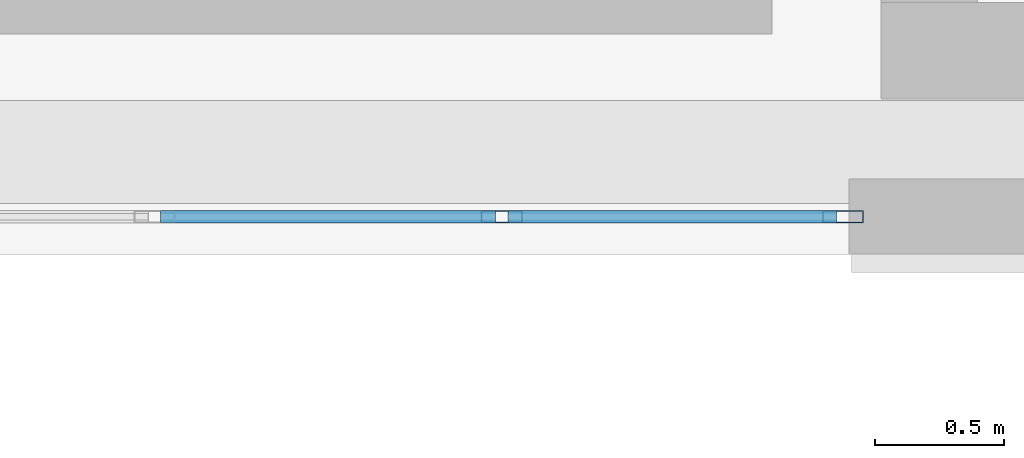
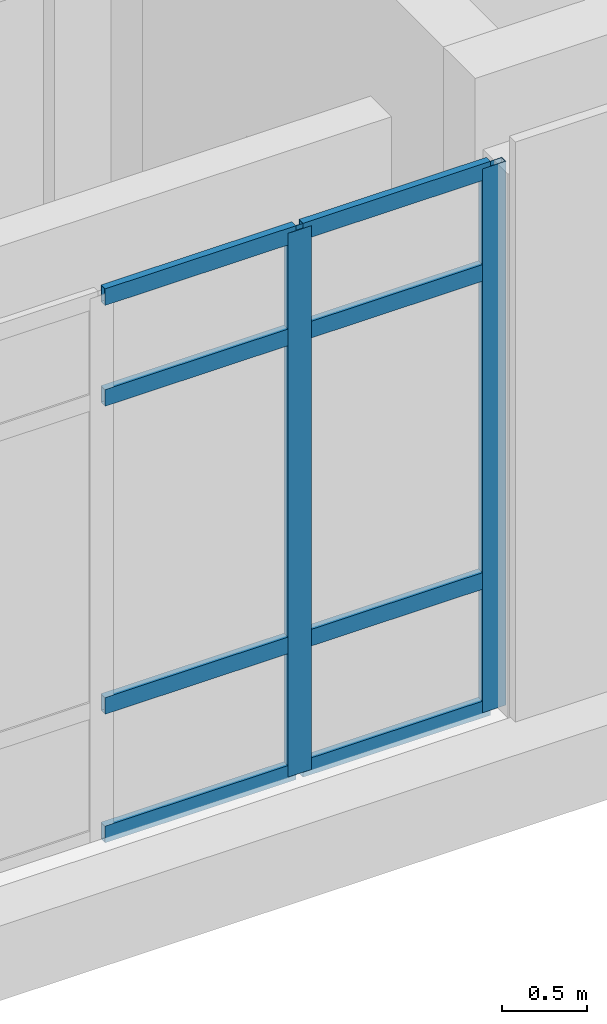
# One storey, part 57 of 165: 10 members, 1 element without a shape of its own.
"""IFC4 building model written with IfcOpenShell, lengths in metres."""

from ifc_helpers import new_model, si_unit, direction, frame, origin, origin_2d, place, context, subcontext, project, spatial, hollow_rectangle, extrude, material, layer, layer_set, material_profile, profile_set, type_object, element, aggregate, save


model = new_model("IFC4")

# Units and contexts
model_context = context("Model", 3, precision=1e-05, world=origin(), true_north=direction((0.0, 1.0)))
body_context = subcontext(model_context, "Body", "Model", "MODEL_VIEW")
ifc_project = project(units=[si_unit("LENGTHUNIT", "METRE"), si_unit("AREAUNIT", "SQUARE_METRE"), si_unit("VOLUMEUNIT", "CUBIC_METRE"), si_unit("PLANEANGLEUNIT", "RADIAN"), si_unit("MASSUNIT", "GRAM", prefix="KILO")], contexts=[model_context])

# Site, building, storey
site_placement = place(None, origin())
site = spatial("IfcSite", under=ifc_project, at=site_placement, CompositionType="ELEMENT")
building_placement = place(site_placement, origin())
building = spatial("IfcBuilding", under=site, at=building_placement, Name="Qalavern Law Courts", CompositionType="ELEMENT")
storey_placement = place(building_placement, frame((0.0, 0.0, 14.39990234375)))
storey = spatial("IfcBuildingStorey", under=building, at=storey_placement, Name="L03", CompositionType="ELEMENT", Elevation=14.39990234375)

# Curtain wall, members
ifc_material_1 = material(Name="Anodised aluminium and insulated glazing", Category="aluminium")
ifc_layer = layer(ifc_material_1, 0.172119140625)
ifc_layer_set = layer_set([ifc_layer], Name="Anodised aluminium and insulated glazing")
curtain_wall_type = type_object("IfcCurtainWallType", Name="ENV-CW-COURT", PredefinedType="USERDEFINED", material=ifc_layer_set)
curtain_wall_placement = place(storey_placement, origin())
curtain_wall = element("IfcCurtainWall", 1, at=curtain_wall_placement, inside=storey, type_object=curtain_wall_type, Name="V4 unitised curtain wall L03 south 1", ObjectType="UNITISED CURTAIN WALL", PredefinedType="USERDEFINED")
ifc_material_2 = material(Name="Anodised aluminium", Category="aluminium")
ifc_material_profile_1 = material_profile(ifc_material_2, hollow_rectangle(XDim=0.048095703125, YDim=0.159912109375, WallThickness=0.00390625, at=origin_2d()), Name="ALU MULLION 48x160")
ifc_profile_set_1 = profile_set([ifc_material_profile_1], Name="Anodised aluminium")
member_type_1 = type_object("IfcMemberType", Name="ENV-CWM-48x160", PredefinedType="MULLION", material=ifc_profile_set_1)
member_1_placement = place(storey_placement, frame((96.35009765625, 41.16748046875, 0.0), z_axis=(0.0, 0.0, 1.0), x_axis=(0.0, 1.0, 0.0)))
member_1 = element("IfcMember", 2, at=member_1_placement, type_object=member_type_1, Name="CW-03 mullion 4", PredefinedType="MULLION", context=body_context, shape_type="SweptSolid", body=[
    extrude(hollow_rectangle(XDim=0.048095703125, YDim=0.159912109375, WallThickness=0.00390625, at=origin_2d()), origin(), (0.0, 0.0, 1.0), 3.920166015625),
])
member_2_placement = place(storey_placement, frame((97.676025390625, 41.16748046875, 0.0), z_axis=(0.0, 0.0, 1.0), x_axis=(0.0, 1.0, 0.0)))
member_2 = element("IfcMember", 3, at=member_2_placement, type_object=member_type_1, Name="CW-03 mullion 5", PredefinedType="MULLION", context=body_context, shape_type="SweptSolid", body=[
    extrude(hollow_rectangle(XDim=0.048095703125, YDim=0.159912109375, WallThickness=0.00390625, at=origin_2d()), origin(), (0.0, 0.0, 1.0), 3.920166015625),
])
ifc_material_profile_2 = material_profile(ifc_material_2, hollow_rectangle(XDim=0.048095703125, YDim=0.1201171875, WallThickness=0.00390625, at=origin_2d()), Name="ALU TRANSOM 48x120")
ifc_profile_set_2 = profile_set([ifc_material_profile_2], Name="Anodised aluminium")
member_type_2 = type_object("IfcMemberType", Name="ENV-CWT-48x120", PredefinedType="USERDEFINED", material=ifc_profile_set_2)
member_3_placement = place(storey_placement, frame((95.02392578125, 41.16748046875, 0.024169921875), z_axis=(1.0, 0.0, 0.0), x_axis=(0.0, 1.0, 0.0)))
member_3 = element("IfcMember", 4, at=member_3_placement, type_object=member_type_2, Name="CW-03 transom 3.1", ObjectType="TRANSOM", PredefinedType="USERDEFINED", context=body_context, shape_type="SweptSolid", body=[
    extrude(hollow_rectangle(XDim=0.048095703125, YDim=0.1201171875, WallThickness=0.00390625, at=origin_2d()), origin(), (0.0, 0.0, 1.0), 1.302001953125),
])
member_4_placement = place(storey_placement, frame((95.02392578125, 41.16748046875, 0.9501953125), z_axis=(1.0, 0.0, 0.0), x_axis=(0.0, 1.0, 0.0)))
member_4 = element("IfcMember", 5, at=member_4_placement, type_object=member_type_2, Name="CW-03 transom 3.2", ObjectType="TRANSOM", PredefinedType="USERDEFINED", context=body_context, shape_type="SweptSolid", body=[
    extrude(hollow_rectangle(XDim=0.048095703125, YDim=0.1201171875, WallThickness=0.00390625, at=origin_2d()), origin(), (0.0, 0.0, 1.0), 1.302001953125),
])
member_5_placement = place(storey_placement, frame((95.02392578125, 41.16748046875, 3.170166015625), z_axis=(1.0, 0.0, 0.0), x_axis=(0.0, 1.0, 0.0)))
member_5 = element("IfcMember", 6, at=member_5_placement, type_object=member_type_2, Name="CW-03 transom 3.3", ObjectType="TRANSOM", PredefinedType="USERDEFINED", context=body_context, shape_type="SweptSolid", body=[
    extrude(hollow_rectangle(XDim=0.048095703125, YDim=0.1201171875, WallThickness=0.00390625, at=origin_2d()), origin(), (0.0, 0.0, 1.0), 1.302001953125),
])
member_6_placement = place(storey_placement, frame((95.02392578125, 41.16748046875, 3.89599609375), z_axis=(1.0, 0.0, 0.0), x_axis=(0.0, 1.0, 0.0)))
member_6 = element("IfcMember", 7, at=member_6_placement, type_object=member_type_2, Name="CW-03 transom 3.4", ObjectType="TRANSOM", PredefinedType="USERDEFINED", context=body_context, shape_type="SweptSolid", body=[
    extrude(hollow_rectangle(XDim=0.048095703125, YDim=0.1201171875, WallThickness=0.00390625, at=origin_2d()), origin(), (0.0, 0.0, 1.0), 1.302001953125),
])
member_7_placement = place(storey_placement, frame((96.3740234375, 41.16748046875, 0.024169921875), z_axis=(1.0, 0.0, 0.0), x_axis=(0.0, 1.0, 0.0)))
member_7 = element("IfcMember", 8, at=member_7_placement, type_object=member_type_2, Name="CW-03 transom 4.1", ObjectType="TRANSOM", PredefinedType="USERDEFINED", context=body_context, shape_type="SweptSolid", body=[
    extrude(hollow_rectangle(XDim=0.048095703125, YDim=0.1201171875, WallThickness=0.00390625, at=origin_2d()), origin(), (0.0, 0.0, 1.0), 1.278076171875),
])
member_8_placement = place(storey_placement, frame((96.3740234375, 41.16748046875, 0.9501953125), z_axis=(1.0, 0.0, 0.0), x_axis=(0.0, 1.0, 0.0)))
member_8 = element("IfcMember", 9, at=member_8_placement, type_object=member_type_2, Name="CW-03 transom 4.2", ObjectType="TRANSOM", PredefinedType="USERDEFINED", context=body_context, shape_type="SweptSolid", body=[
    extrude(hollow_rectangle(XDim=0.048095703125, YDim=0.1201171875, WallThickness=0.00390625, at=origin_2d()), origin(), (0.0, 0.0, 1.0), 1.278076171875),
])
member_9_placement = place(storey_placement, frame((96.3740234375, 41.16748046875, 3.170166015625), z_axis=(1.0, 0.0, 0.0), x_axis=(0.0, 1.0, 0.0)))
member_9 = element("IfcMember", 10, at=member_9_placement, type_object=member_type_2, Name="CW-03 transom 4.3", ObjectType="TRANSOM", PredefinedType="USERDEFINED", context=body_context, shape_type="SweptSolid", body=[
    extrude(hollow_rectangle(XDim=0.048095703125, YDim=0.1201171875, WallThickness=0.00390625, at=origin_2d()), origin(), (0.0, 0.0, 1.0), 1.278076171875),
])
member_10_placement = place(storey_placement, frame((96.3740234375, 41.16748046875, 3.89599609375), z_axis=(1.0, 0.0, 0.0), x_axis=(0.0, 1.0, 0.0)))
member_10 = element("IfcMember", 11, at=member_10_placement, type_object=member_type_2, Name="CW-03 transom 4.4", ObjectType="TRANSOM", PredefinedType="USERDEFINED", context=body_context, shape_type="SweptSolid", body=[
    extrude(hollow_rectangle(XDim=0.048095703125, YDim=0.1201171875, WallThickness=0.00390625, at=origin_2d()), origin(), (0.0, 0.0, 1.0), 1.278076171875),
])
aggregate(curtain_wall, [member_1, member_2, member_3, member_4, member_5, member_6, member_7, member_8, member_9, member_10])

save(model, "model.ifc")
